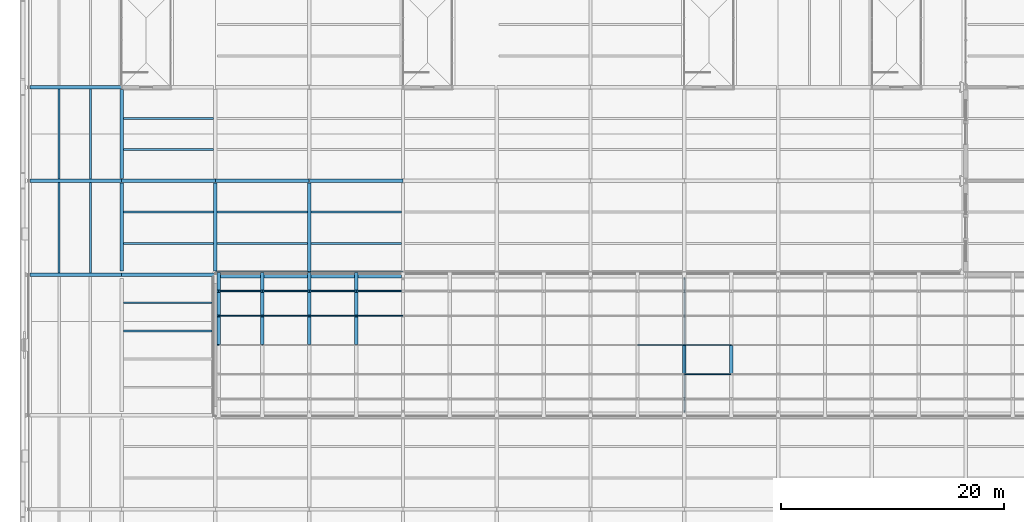
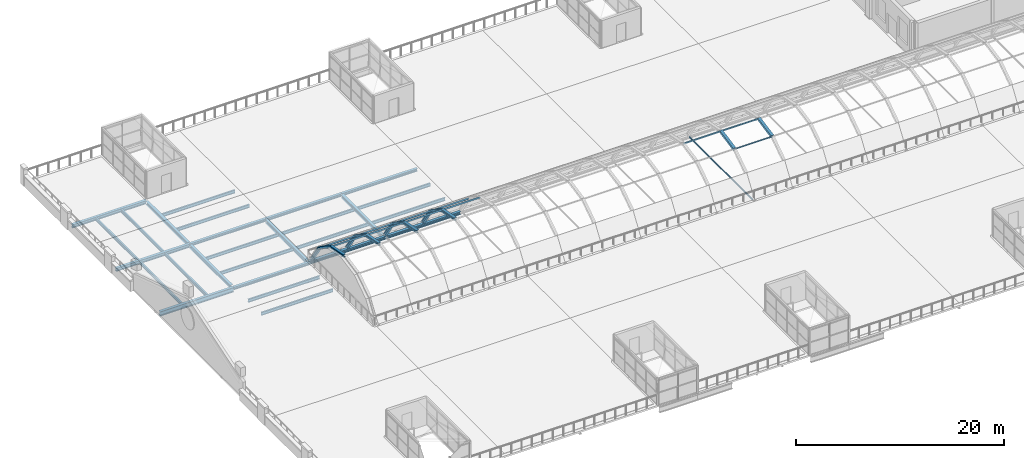
# One storey, part 17 of 58: 29 beams, 26 members.
"""IFC4 building model written with IfcOpenShell, lengths in metres."""

from ifc_helpers import new_model, si_unit, direction, frame, origin, origin_2d, place, context, subcontext, project, spatial, hollow_rectangle, hollow_circle, i_section, extrude, material, material_profile, profile_set, type_object, element, save


model = new_model("IFC4")

# Units and contexts
model_context = context("Model", 3, precision=1e-05, world=origin(), true_north=direction((0.0, 1.0)))
body_context = subcontext(model_context, "Body", "Model", "MODEL_VIEW")
ifc_project = project(units=[si_unit("LENGTHUNIT", "METRE"), si_unit("AREAUNIT", "SQUARE_METRE"), si_unit("VOLUMEUNIT", "CUBIC_METRE"), si_unit("PLANEANGLEUNIT", "RADIAN"), si_unit("MASSUNIT", "GRAM", prefix="KILO")], contexts=[model_context])

# Site, building, storey
site_placement = place(None, origin())
site = spatial("IfcSite", under=ifc_project, at=site_placement, CompositionType="ELEMENT")
building_placement = place(site_placement, origin())
building = spatial("IfcBuilding", under=site, at=building_placement, Name="Galleria Vessillo Department Store", CompositionType="ELEMENT")
storey_placement = place(building_placement, frame((0.0, 0.0, 31.199951171875)))
storey = spatial("IfcBuildingStorey", under=building, at=storey_placement, Name="L06", CompositionType="ELEMENT", Elevation=31.199951171875)

# Beams
ifc_material_1 = material(Name="Steel S355 J2", Category="steel")
ifc_material_profile_1 = material_profile(ifc_material_1, i_section(OverallWidth=0.300048828125, OverallDepth=0.389892578125, WebThickness=0.010986328125, FlangeThickness=0.01904296875, FilletRadius=0.027099609375, at=origin_2d()), Name="HEA 400")
ifc_profile_set_1 = profile_set([ifc_material_profile_1], Name="Steel S355 J2")
beam_type_1 = type_object("IfcBeamType", Name="Floor girder HEA 400", PredefinedType="BEAM", material=ifc_profile_set_1)
for number, where, z_axis, x_axis, name in (
    (1, (0.2001953125, 46.199951171875, -0.39501953125), (1.0, 0.0, 0.0), (0.0, 1.0, 0.0), "S-BM-L06-GI-x46200-200"),
    (2, (0.2001953125, 54.60009765625, -0.39501953125), (1.0, 0.0, 0.0), (0.0, 1.0, 0.0), "S-BM-L06-GI-x54600-200"),
):
    element("IfcBeam", number, at=place(storey_placement, frame(where, z_axis=z_axis, x_axis=x_axis)), inside=storey, type_object=beam_type_1, Name=name, PredefinedType="BEAM", context=body_context, shape_type="SweptSolid", body=[
        extrude(i_section(OverallWidth=0.300048828125, OverallDepth=0.389892578125, WebThickness=0.010986328125, FlangeThickness=0.01904296875, FilletRadius=0.027099609375, at=origin_2d()), origin(), (0.0, 0.0, 1.0), 8.19287109375),
    ])
beam_1_placement = place(storey_placement, frame((8.39990234375, 38.134033203125, -0.39501953125), z_axis=(0.0, 1.0, 0.0), x_axis=(-1.0, 0.0, 0.0)))
element("IfcBeam", 3, at=beam_1_placement, inside=storey, type_object=beam_type_1, Name="S-BM-L06-GI-y8400-38134", PredefinedType="BEAM", context=body_context, shape_type="SweptSolid", body=[
    extrude(i_section(OverallWidth=0.300048828125, OverallDepth=0.389892578125, WebThickness=0.010986328125, FlangeThickness=0.01904296875, FilletRadius=0.027099609375, at=origin_2d()), origin(), (0.0, 0.0, 1.0), 7.86572265625),
])
beam_2_placement = place(storey_placement, frame((8.39990234375, 46.400146484375, -0.39501953125), z_axis=(0.0, 1.0, 0.0), x_axis=(-1.0, 0.0, 0.0)))
element("IfcBeam", 4, at=beam_2_placement, inside=storey, type_object=beam_type_1, Name="S-BM-L06-GI-y8400-46400", PredefinedType="BEAM", context=body_context, shape_type="SweptSolid", body=[
    extrude(i_section(OverallWidth=0.300048828125, OverallDepth=0.389892578125, WebThickness=0.010986328125, FlangeThickness=0.01904296875, FilletRadius=0.027099609375, at=origin_2d()), origin(), (0.0, 0.0, 1.0), 7.999755859375),
])
beam_3_placement = place(storey_placement, frame((16.800048828125, 38.134033203125, -0.39501953125), z_axis=(0.0, 1.0, 0.0), x_axis=(-1.0, 0.0, 0.0)))
element("IfcBeam", 5, at=beam_3_placement, inside=storey, type_object=beam_type_1, Name="S-BM-L06-GI-y16800-38134", PredefinedType="BEAM", context=body_context, shape_type="SweptSolid", body=[
    extrude(i_section(OverallWidth=0.300048828125, OverallDepth=0.389892578125, WebThickness=0.010986328125, FlangeThickness=0.01904296875, FilletRadius=0.027099609375, at=origin_2d()), origin(), (0.0, 0.0, 1.0), 7.86572265625),
])
beam_4_placement = place(storey_placement, frame((25.199951171875, 38.06201171875, -0.39501953125), z_axis=(0.0, 1.0, 0.0), x_axis=(-1.0, 0.0, 0.0)))
element("IfcBeam", 6, at=beam_4_placement, inside=storey, type_object=beam_type_1, Name="S-BM-L06-GI-y25200-38062", PredefinedType="BEAM", context=body_context, shape_type="SweptSolid", body=[
    extrude(i_section(OverallWidth=0.300048828125, OverallDepth=0.389892578125, WebThickness=0.010986328125, FlangeThickness=0.01904296875, FilletRadius=0.027099609375, at=origin_2d()), origin(), (0.0, 0.0, 1.0), 7.937744140625),
])
ifc_material_2 = material(Name="Steel S355 J2", Category="steel")
ifc_material_profile_2 = material_profile(ifc_material_2, i_section(OverallWidth=0.300048828125, OverallDepth=0.5400390625, WebThickness=0.012451171875, FlangeThickness=0.02392578125, FilletRadius=0.027099609375, at=origin_2d()), Name="HEA 550")
ifc_profile_set_2 = profile_set([ifc_material_profile_2], Name="Steel S355 J2")
beam_type_2 = type_object("IfcBeamType", Name="Floor girder HEA 550", PredefinedType="BEAM", material=ifc_profile_set_2)
beam_5_placement = place(storey_placement, frame((0.2001953125, 37.800048828125, -0.469970703125), z_axis=(1.0, 0.0, 0.0), x_axis=(0.0, 1.0, 0.0)))
element("IfcBeam", 7, at=beam_5_placement, inside=storey, type_object=beam_type_2, Name="S-BM-L06-GI-x37800-200", PredefinedType="BEAM", context=body_context, shape_type="SweptSolid", body=[
    extrude(i_section(OverallWidth=0.300048828125, OverallDepth=0.5400390625, WebThickness=0.012451171875, FlangeThickness=0.02392578125, FilletRadius=0.027099609375, at=origin_2d()), origin(), (0.0, 0.0, 1.0), 8.189208984375),
])
ifc_material_3 = material(Name="Steel S355 J2", Category="steel")
ifc_material_profile_3 = material_profile(ifc_material_3, i_section(OverallWidth=0.169921875, OverallDepth=0.360107421875, WebThickness=0.008056640625, FlangeThickness=0.0126953125, FilletRadius=0.01806640625, at=origin_2d()), Name="IPE 360")
ifc_profile_set_3 = profile_set([ifc_material_profile_3], Name="Steel S355 J2")
beam_type_3 = type_object("IfcBeamType", Name="Floor joist IPE 360", PredefinedType="JOIST", material=ifc_profile_set_3)
for number, where, z_axis, x_axis, name in (
    (8, (2.800048828125, 37.9501953125, -0.3798828125), (0.0, 1.0, 0.0), (-1.0, 0.0, 0.0), "S-BM-L06-JO-y2800-37950"),
    (9, (5.60009765625, 37.9501953125, -0.3798828125), (0.0, 1.0, 0.0), (-1.0, 0.0, 0.0), "S-BM-L06-JO-y5600-37950"),
):
    element("IfcBeam", number, at=place(storey_placement, frame(where, z_axis=z_axis, x_axis=x_axis)), inside=storey, type_object=beam_type_3, Name=name, PredefinedType="JOIST", context=body_context, shape_type="SweptSolid", body=[
        extrude(i_section(OverallWidth=0.169921875, OverallDepth=0.360107421875, WebThickness=0.008056640625, FlangeThickness=0.0126953125, FilletRadius=0.01806640625, at=origin_2d()), origin(), (0.0, 0.0, 1.0), 8.099609375),
    ])
for number, where, z_axis, x_axis, name in (
    (10, (2.800048828125, 46.35009765625, -0.3798828125), (0.0, 1.0, 0.0), (-1.0, 0.0, 0.0), "S-BM-L06-JO-y2800-46350"),
    (11, (5.60009765625, 46.35009765625, -0.3798828125), (0.0, 1.0, 0.0), (-1.0, 0.0, 0.0), "S-BM-L06-JO-y5600-46350"),
):
    element("IfcBeam", number, at=place(storey_placement, frame(where, z_axis=z_axis, x_axis=x_axis)), inside=storey, type_object=beam_type_3, Name=name, PredefinedType="JOIST", context=body_context, shape_type="SweptSolid", body=[
        extrude(i_section(OverallWidth=0.169921875, OverallDepth=0.360107421875, WebThickness=0.008056640625, FlangeThickness=0.0126953125, FilletRadius=0.01806640625, at=origin_2d()), origin(), (0.0, 0.0, 1.0), 8.099853515625),
    ])
for number, where, z_axis, x_axis, name in (
    (12, (8.550048828125, 32.760009765625, -0.3798828125), (1.0, 0.0, 0.0), (0.0, 1.0, 0.0), "S-BM-L06-JO-x32760-8550"),
    (13, (8.550048828125, 35.280029296875, -0.3798828125), (1.0, 0.0, 0.0), (0.0, 1.0, 0.0), "S-BM-L06-JO-x35280-8550"),
):
    element("IfcBeam", number, at=place(storey_placement, frame(where, z_axis=z_axis, x_axis=x_axis)), inside=storey, type_object=beam_type_3, Name=name, PredefinedType="JOIST", context=body_context, shape_type="SweptSolid", body=[
        extrude(i_section(OverallWidth=0.169921875, OverallDepth=0.360107421875, WebThickness=0.008056640625, FlangeThickness=0.0126953125, FilletRadius=0.01806640625, at=origin_2d()), origin(), (0.0, 0.0, 1.0), 7.94970703125),
    ])
for number, where, z_axis, x_axis, name in (
    (14, (8.550048828125, 40.60009765625, -0.3798828125), (1.0, 0.0, 0.0), (0.0, 1.0, 0.0), "S-BM-L06-JO-x40600-8550"),
    (15, (8.550048828125, 43.39990234375, -0.3798828125), (1.0, 0.0, 0.0), (0.0, 1.0, 0.0), "S-BM-L06-JO-x43400-8550"),
    (16, (8.550048828125, 49.0, -0.3798828125), (1.0, 0.0, 0.0), (0.0, 1.0, 0.0), "S-BM-L06-JO-x49000-8550"),
    (17, (8.550048828125, 51.800048828125, -0.3798828125), (1.0, 0.0, 0.0), (0.0, 1.0, 0.0), "S-BM-L06-JO-x51800-8550"),
):
    element("IfcBeam", number, at=place(storey_placement, frame(where, z_axis=z_axis, x_axis=x_axis)), inside=storey, type_object=beam_type_3, Name=name, PredefinedType="JOIST", context=body_context, shape_type="SweptSolid", body=[
        extrude(i_section(OverallWidth=0.169921875, OverallDepth=0.360107421875, WebThickness=0.008056640625, FlangeThickness=0.0126953125, FilletRadius=0.01806640625, at=origin_2d()), origin(), (0.0, 0.0, 1.0), 8.099853515625),
    ])
for number, where, z_axis, x_axis, name in (
    (18, (16.9501953125, 40.60009765625, -0.3798828125), (1.0, 0.0, 0.0), (0.0, 1.0, 0.0), "S-BM-L06-JO-x40600-16950"),
    (19, (16.9501953125, 43.39990234375, -0.3798828125), (1.0, 0.0, 0.0), (0.0, 1.0, 0.0), "S-BM-L06-JO-x43400-16950"),
):
    element("IfcBeam", number, at=place(storey_placement, frame(where, z_axis=z_axis, x_axis=x_axis)), inside=storey, type_object=beam_type_3, Name=name, PredefinedType="JOIST", context=body_context, shape_type="SweptSolid", body=[
        extrude(i_section(OverallWidth=0.169921875, OverallDepth=0.360107421875, WebThickness=0.008056640625, FlangeThickness=0.0126953125, FilletRadius=0.01806640625, at=origin_2d()), origin(), (0.0, 0.0, 1.0), 8.099609375),
    ])
for number, where, z_axis, x_axis, name in (
    (20, (25.35009765625, 40.60009765625, -0.3798828125), (1.0, 0.0, 0.0), (0.0, 1.0, 0.0), "S-BM-L06-JO-x40600-25350"),
    (21, (25.35009765625, 43.39990234375, -0.3798828125), (1.0, 0.0, 0.0), (0.0, 1.0, 0.0), "S-BM-L06-JO-x43400-25350"),
):
    element("IfcBeam", number, at=place(storey_placement, frame(where, z_axis=z_axis, x_axis=x_axis)), inside=storey, type_object=beam_type_3, Name=name, PredefinedType="JOIST", context=body_context, shape_type="SweptSolid", body=[
        extrude(i_section(OverallWidth=0.169921875, OverallDepth=0.360107421875, WebThickness=0.008056640625, FlangeThickness=0.0126953125, FilletRadius=0.01806640625, at=origin_2d()), origin(), (0.0, 0.0, 1.0), 8.099853515625),
    ])
ifc_material_4 = material(Name="Steel S355 J2", Category="steel")
ifc_material_profile_4 = material_profile(ifc_material_4, i_section(OverallWidth=0.300048828125, OverallDepth=0.31005859375, WebThickness=0.009033203125, FlangeThickness=0.015380859375, FilletRadius=0.027099609375, at=origin_2d()), Name="HEA 320")
ifc_profile_set_4 = profile_set([ifc_material_profile_4], Name="Steel S355 J2")
beam_type_4 = type_object("IfcBeamType", Name="Floor tie girder HEA 320", PredefinedType="BEAM", material=ifc_profile_set_4)
beam_6_placement = place(storey_placement, frame((8.41064453125, 37.800048828125, -0.35498046875), z_axis=(1.0, 0.0, 0.0), x_axis=(0.0, 1.0, 0.0)))
element("IfcBeam", 22, at=beam_6_placement, inside=storey, type_object=beam_type_4, Name="S-BM-L06-TI-x37800-8411", PredefinedType="BEAM", context=body_context, shape_type="SweptSolid", body=[
    extrude(i_section(OverallWidth=0.300048828125, OverallDepth=0.31005859375, WebThickness=0.009033203125, FlangeThickness=0.015380859375, FilletRadius=0.027099609375, at=origin_2d()), origin(), (0.0, 0.0, 1.0), 8.378662109375),
])
for number, where, z_axis, x_axis, name in (
    (23, (8.406982421875, 46.199951171875, -0.35498046875), (1.0, 0.0, 0.0), (0.0, 1.0, 0.0), "S-BM-L06-TI-x46200-8407"),
    (24, (16.806884765625, 46.199951171875, -0.35498046875), (1.0, 0.0, 0.0), (0.0, 1.0, 0.0), "S-BM-L06-TI-x46200-16807"),
    (25, (25.206787109375, 46.199951171875, -0.35498046875), (1.0, 0.0, 0.0), (0.0, 1.0, 0.0), "S-BM-L06-TI-x46200-25207"),
):
    element("IfcBeam", number, at=place(storey_placement, frame(where, z_axis=z_axis, x_axis=x_axis)), inside=storey, type_object=beam_type_4, Name=name, PredefinedType="BEAM", context=body_context, shape_type="SweptSolid", body=[
        extrude(i_section(OverallWidth=0.300048828125, OverallDepth=0.31005859375, WebThickness=0.009033203125, FlangeThickness=0.015380859375, FilletRadius=0.027099609375, at=origin_2d()), origin(), (0.0, 0.0, 1.0), 8.38623046875),
    ])
ifc_material_5 = material(Name="Steel S355 J2", Category="steel")
ifc_material_profile_5 = material_profile(ifc_material_5, i_section(OverallWidth=0.300048828125, OverallDepth=0.389892578125, WebThickness=0.010986328125, FlangeThickness=0.01904296875, FilletRadius=0.027099609375, at=origin_2d()), Name="HEA 400")
ifc_profile_set_5 = profile_set([ifc_material_profile_5], Name="Steel S355 J2")
beam_type_5 = type_object("IfcBeamType", Name="Trimmer beam HEA 400", PredefinedType="BEAM", material=ifc_profile_set_5)
beam_7_placement = place(storey_placement, frame((16.810546875, 37.949951171875, -0.39501953125), z_axis=(1.0, 0.0, 0.0), x_axis=(0.0, 1.0, 0.0)))
element("IfcBeam", 26, at=beam_7_placement, inside=storey, type_object=beam_type_5, Name="S-BM-L06-TR-x37950-16811", PredefinedType="BEAM", context=body_context, shape_type="SweptSolid", body=[
    extrude(i_section(OverallWidth=0.300048828125, OverallDepth=0.389892578125, WebThickness=0.010986328125, FlangeThickness=0.01904296875, FilletRadius=0.027099609375, at=origin_2d()), origin(), (0.0, 0.0, 1.0), 8.37890625),
])
beam_8_placement = place(storey_placement, frame((25.210693359375, 37.949951171875, -0.39501953125), z_axis=(1.0, 0.0, 0.0), x_axis=(0.0, 1.0, 0.0)))
element("IfcBeam", 27, at=beam_8_placement, inside=storey, type_object=beam_type_5, Name="S-BM-L06-TR-x37950-25211", PredefinedType="BEAM", context=body_context, shape_type="SweptSolid", body=[
    extrude(i_section(OverallWidth=0.300048828125, OverallDepth=0.389892578125, WebThickness=0.010986328125, FlangeThickness=0.01904296875, FilletRadius=0.027099609375, at=origin_2d()), origin(), (0.0, 0.0, 1.0), 8.378662109375),
])

# Members
ifc_material_6 = material(Name="Steel S355 J2", Category="steel")
ifc_material_profile_6 = material_profile(ifc_material_6, hollow_rectangle(XDim=0.10009765625, YDim=0.14990234375, WallThickness=0.008056640625, at=origin_2d()), Name="RHS 150x100x8")
ifc_profile_set_6 = profile_set([ifc_material_profile_6], Name="Steel S355 J2")
member_type_1 = type_object("IfcMemberType", Name="Vault purlin RHS 150x100x8", PredefinedType="PURLIN", material=ifc_profile_set_6)
for number, where, z_axis, x_axis, name in (
    (28, (58.80419921875, 28.892578125, 3.682373046875), (1.0, 0.0, 0.0), (0.0, 0.924144726715, 0.38204256842), "S-VP-2-11"),
    (29, (54.604248046875, 31.5, 4.199951171875), (1.0, 0.0, 0.0), (0.0, 1.0, 0.0), "S-VP-3-10"),
    (30, (58.80419921875, 31.5, 4.199951171875), (1.0, 0.0, 0.0), (0.0, 1.0, 0.0), "S-VP-3-11"),
):
    element("IfcMember", number, at=place(storey_placement, frame(where, z_axis=z_axis, x_axis=x_axis)), inside=storey, type_object=member_type_1, Name=name, PredefinedType="PURLIN", context=body_context, shape_type="SweptSolid", body=[
        extrude(hollow_rectangle(XDim=0.10009765625, YDim=0.14990234375, WallThickness=0.008056640625, at=origin_2d()), origin(), (0.0, 0.0, 1.0), 4.191650390625),
    ])
member_1_placement = place(storey_placement, frame((17.104248046875, 34.107421875, 3.682373046875), z_axis=(1.0, 0.0, 0.0), x_axis=(0.0, 0.924144726715, -0.38204256842)))
element("IfcMember", 31, at=member_1_placement, inside=storey, type_object=member_type_1, Name="S-VP-4-01", PredefinedType="PURLIN", context=body_context, shape_type="SweptSolid", body=[
    extrude(hollow_rectangle(XDim=0.10009765625, YDim=0.14990234375, WallThickness=0.008056640625, at=origin_2d()), origin(), (0.0, 0.0, 1.0), 3.8916015625),
])
for number, where, z_axis, x_axis, name in (
    (32, (21.004150390625, 34.107421875, 3.682373046875), (1.0, 0.0, 0.0), (0.0, 0.924144726715, -0.38204256842), "S-VP-4-02"),
    (33, (25.2041015625, 34.107421875, 3.682373046875), (1.0, 0.0, 0.0), (0.0, 0.924144726715, -0.38204256842), "S-VP-4-03"),
):
    element("IfcMember", number, at=place(storey_placement, frame(where, z_axis=z_axis, x_axis=x_axis)), inside=storey, type_object=member_type_1, Name=name, PredefinedType="PURLIN", context=body_context, shape_type="SweptSolid", body=[
        extrude(hollow_rectangle(XDim=0.10009765625, YDim=0.14990234375, WallThickness=0.008056640625, at=origin_2d()), origin(), (0.0, 0.0, 1.0), 4.191650390625),
    ])
member_2_placement = place(storey_placement, frame((29.404052734375, 34.107421875, 3.682373046875), z_axis=(1.0, 0.0, 0.0), x_axis=(0.0, 0.924144726715, -0.38204256842)))
element("IfcMember", 34, at=member_2_placement, inside=storey, type_object=member_type_1, Name="S-VP-4-04", PredefinedType="PURLIN", context=body_context, shape_type="SweptSolid", body=[
    extrude(hollow_rectangle(XDim=0.10009765625, YDim=0.14990234375, WallThickness=0.008056640625, at=origin_2d()), origin(), (0.0, 0.0, 1.0), 4.19189453125),
])
member_3_placement = place(storey_placement, frame((17.104248046875, 36.3193359375, 2.207763671875), z_axis=(1.0, 0.0, 0.0), x_axis=(0.0, 0.708077368705, -0.70613485959)))
element("IfcMember", 35, at=member_3_placement, inside=storey, type_object=member_type_1, Name="S-VP-5-01", PredefinedType="PURLIN", context=body_context, shape_type="SweptSolid", body=[
    extrude(hollow_rectangle(XDim=0.10009765625, YDim=0.14990234375, WallThickness=0.008056640625, at=origin_2d()), origin(), (0.0, 0.0, 1.0), 3.8916015625),
])
for number, where, z_axis, x_axis, name in (
    (36, (21.004150390625, 36.3193359375, 2.207763671875), (1.0, 0.0, 0.0), (0.0, 0.708077368705, -0.70613485959), "S-VP-5-02"),
    (37, (25.2041015625, 36.3193359375, 2.207763671875), (1.0, 0.0, 0.0), (0.0, 0.708077368705, -0.70613485959), "S-VP-5-03"),
):
    element("IfcMember", number, at=place(storey_placement, frame(where, z_axis=z_axis, x_axis=x_axis)), inside=storey, type_object=member_type_1, Name=name, PredefinedType="PURLIN", context=body_context, shape_type="SweptSolid", body=[
        extrude(hollow_rectangle(XDim=0.10009765625, YDim=0.14990234375, WallThickness=0.008056640625, at=origin_2d()), origin(), (0.0, 0.0, 1.0), 4.191650390625),
    ])
member_4_placement = place(storey_placement, frame((29.404052734375, 36.3193359375, 2.207763671875), z_axis=(1.0, 0.0, 0.0), x_axis=(0.0, 0.708077368705, -0.70613485959)))
element("IfcMember", 38, at=member_4_placement, inside=storey, type_object=member_type_1, Name="S-VP-5-04", PredefinedType="PURLIN", context=body_context, shape_type="SweptSolid", body=[
    extrude(hollow_rectangle(XDim=0.10009765625, YDim=0.14990234375, WallThickness=0.008056640625, at=origin_2d()), origin(), (0.0, 0.0, 1.0), 4.19189453125),
])
ifc_material_7 = material(Name="Steel S355 J2", Category="steel")
ifc_material_profile_7 = material_profile(ifc_material_7, i_section(OverallWidth=0.300048828125, OverallDepth=0.2900390625, WebThickness=0.008544921875, FlangeThickness=0.013916015625, FilletRadius=0.027099609375, at=origin_2d()), Name="HEA 300")
ifc_profile_set_7 = profile_set([ifc_material_profile_7], Name="Steel S355 J2")
member_type_2 = type_object("IfcMemberType", Name="Vault rib HEA 300", PredefinedType="RAFTER", material=ifc_profile_set_7)
member_5_placement = place(storey_placement, frame((17.10009765625, 31.5, 4.199951171875), z_axis=(0.0, 0.980862245521, -0.194702992557), x_axis=(-1.0, 0.0, 0.0)))
element("IfcMember", 39, at=member_5_placement, inside=storey, type_object=member_type_2, Name="S-VR-01-4", PredefinedType="RAFTER", context=body_context, shape_type="SweptSolid", body=[
    extrude(i_section(OverallWidth=0.300048828125, OverallDepth=0.2900390625, WebThickness=0.008544921875, FlangeThickness=0.013916015625, FilletRadius=0.027099609375, at=origin_2d()), origin(), (0.0, 0.0, 1.0), 2.658203125),
])
member_6_placement = place(storey_placement, frame((17.10009765625, 34.107421875, 3.682373046875), z_axis=(0.0, 0.832050294338, -0.554700196225), x_axis=(-1.0, 0.0, 0.0)))
element("IfcMember", 40, at=member_6_placement, inside=storey, type_object=member_type_2, Name="S-VR-01-5", PredefinedType="RAFTER", context=body_context, shape_type="SweptSolid", body=[
    extrude(i_section(OverallWidth=0.300048828125, OverallDepth=0.2900390625, WebThickness=0.008544921875, FlangeThickness=0.013916015625, FilletRadius=0.027099609375, at=origin_2d()), origin(), (0.0, 0.0, 1.0), 2.658447265625),
])
member_7_placement = place(storey_placement, frame((17.10009765625, 36.3193359375, 2.207763671875), z_axis=(0.0, 0.557008391095, -0.830506864661), x_axis=(-1.0, 0.0, 0.0)))
element("IfcMember", 41, at=member_7_placement, inside=storey, type_object=member_type_2, Name="S-VR-01-6", PredefinedType="RAFTER", context=body_context, shape_type="SweptSolid", body=[
    extrude(i_section(OverallWidth=0.300048828125, OverallDepth=0.2900390625, WebThickness=0.008544921875, FlangeThickness=0.013916015625, FilletRadius=0.027099609375, at=origin_2d()), origin(), (0.0, 0.0, 1.0), 2.755615234375),
])
member_8_placement = place(storey_placement, frame((21.0, 31.5, 4.199951171875), z_axis=(0.0, 0.980862245521, -0.194702992557), x_axis=(-1.0, 0.0, 0.0)))
element("IfcMember", 42, at=member_8_placement, inside=storey, type_object=member_type_2, Name="S-VR-02-4", PredefinedType="RAFTER", context=body_context, shape_type="SweptSolid", body=[
    extrude(i_section(OverallWidth=0.300048828125, OverallDepth=0.2900390625, WebThickness=0.008544921875, FlangeThickness=0.013916015625, FilletRadius=0.027099609375, at=origin_2d()), origin(), (0.0, 0.0, 1.0), 2.658203125),
])
member_9_placement = place(storey_placement, frame((21.0, 34.107421875, 3.682373046875), z_axis=(0.0, 0.832050294338, -0.554700196225), x_axis=(-1.0, 0.0, 0.0)))
element("IfcMember", 43, at=member_9_placement, inside=storey, type_object=member_type_2, Name="S-VR-02-5", PredefinedType="RAFTER", context=body_context, shape_type="SweptSolid", body=[
    extrude(i_section(OverallWidth=0.300048828125, OverallDepth=0.2900390625, WebThickness=0.008544921875, FlangeThickness=0.013916015625, FilletRadius=0.027099609375, at=origin_2d()), origin(), (0.0, 0.0, 1.0), 2.658447265625),
])
member_10_placement = place(storey_placement, frame((21.0, 36.3193359375, 2.207763671875), z_axis=(0.0, 0.557008391095, -0.830506864661), x_axis=(-1.0, 0.0, 0.0)))
element("IfcMember", 44, at=member_10_placement, inside=storey, type_object=member_type_2, Name="S-VR-02-6", PredefinedType="RAFTER", context=body_context, shape_type="SweptSolid", body=[
    extrude(i_section(OverallWidth=0.300048828125, OverallDepth=0.2900390625, WebThickness=0.008544921875, FlangeThickness=0.013916015625, FilletRadius=0.027099609375, at=origin_2d()), origin(), (0.0, 0.0, 1.0), 2.755615234375),
])
member_11_placement = place(storey_placement, frame((25.199951171875, 31.5, 4.199951171875), z_axis=(0.0, 0.980862245521, -0.194702992557), x_axis=(-1.0, 0.0, 0.0)))
element("IfcMember", 45, at=member_11_placement, inside=storey, type_object=member_type_2, Name="S-VR-03-4", PredefinedType="RAFTER", context=body_context, shape_type="SweptSolid", body=[
    extrude(i_section(OverallWidth=0.300048828125, OverallDepth=0.2900390625, WebThickness=0.008544921875, FlangeThickness=0.013916015625, FilletRadius=0.027099609375, at=origin_2d()), origin(), (0.0, 0.0, 1.0), 2.658203125),
])
member_12_placement = place(storey_placement, frame((25.199951171875, 34.107421875, 3.682373046875), z_axis=(0.0, 0.832050294338, -0.554700196225), x_axis=(-1.0, 0.0, 0.0)))
element("IfcMember", 46, at=member_12_placement, inside=storey, type_object=member_type_2, Name="S-VR-03-5", PredefinedType="RAFTER", context=body_context, shape_type="SweptSolid", body=[
    extrude(i_section(OverallWidth=0.300048828125, OverallDepth=0.2900390625, WebThickness=0.008544921875, FlangeThickness=0.013916015625, FilletRadius=0.027099609375, at=origin_2d()), origin(), (0.0, 0.0, 1.0), 2.658447265625),
])
member_13_placement = place(storey_placement, frame((25.199951171875, 36.3193359375, 2.207763671875), z_axis=(0.0, 0.557008391095, -0.830506864661), x_axis=(-1.0, 0.0, 0.0)))
element("IfcMember", 47, at=member_13_placement, inside=storey, type_object=member_type_2, Name="S-VR-03-6", PredefinedType="RAFTER", context=body_context, shape_type="SweptSolid", body=[
    extrude(i_section(OverallWidth=0.300048828125, OverallDepth=0.2900390625, WebThickness=0.008544921875, FlangeThickness=0.013916015625, FilletRadius=0.027099609375, at=origin_2d()), origin(), (0.0, 0.0, 1.0), 2.755615234375),
])
member_14_placement = place(storey_placement, frame((29.39990234375, 31.5, 4.199951171875), z_axis=(0.0, 0.980862245521, -0.194702992557), x_axis=(-1.0, 0.0, 0.0)))
element("IfcMember", 48, at=member_14_placement, inside=storey, type_object=member_type_2, Name="S-VR-04-4", PredefinedType="RAFTER", context=body_context, shape_type="SweptSolid", body=[
    extrude(i_section(OverallWidth=0.300048828125, OverallDepth=0.2900390625, WebThickness=0.008544921875, FlangeThickness=0.013916015625, FilletRadius=0.027099609375, at=origin_2d()), origin(), (0.0, 0.0, 1.0), 2.658203125),
])
member_15_placement = place(storey_placement, frame((29.39990234375, 34.107421875, 3.682373046875), z_axis=(0.0, 0.832050294338, -0.554700196225), x_axis=(-1.0, 0.0, 0.0)))
element("IfcMember", 49, at=member_15_placement, inside=storey, type_object=member_type_2, Name="S-VR-04-5", PredefinedType="RAFTER", context=body_context, shape_type="SweptSolid", body=[
    extrude(i_section(OverallWidth=0.300048828125, OverallDepth=0.2900390625, WebThickness=0.008544921875, FlangeThickness=0.013916015625, FilletRadius=0.027099609375, at=origin_2d()), origin(), (0.0, 0.0, 1.0), 2.658447265625),
])
member_16_placement = place(storey_placement, frame((29.39990234375, 36.3193359375, 2.207763671875), z_axis=(0.0, 0.557008391095, -0.830506864661), x_axis=(-1.0, 0.0, 0.0)))
element("IfcMember", 50, at=member_16_placement, inside=storey, type_object=member_type_2, Name="S-VR-04-6", PredefinedType="RAFTER", context=body_context, shape_type="SweptSolid", body=[
    extrude(i_section(OverallWidth=0.300048828125, OverallDepth=0.2900390625, WebThickness=0.008544921875, FlangeThickness=0.013916015625, FilletRadius=0.027099609375, at=origin_2d()), origin(), (0.0, 0.0, 1.0), 2.755615234375),
])
for number, where, z_axis, x_axis, name in (
    (51, (58.800048828125, 28.892578125, 3.682373046875), (0.0, 0.980862245521, 0.194702992557), (-1.0, 0.0, 0.0), "S-VR-11-3"),
    (52, (63.0, 28.892578125, 3.682373046875), (0.0, 0.980862245521, 0.194702992557), (-1.0, 0.0, 0.0), "S-VR-12-3"),
):
    element("IfcMember", number, at=place(storey_placement, frame(where, z_axis=z_axis, x_axis=x_axis)), inside=storey, type_object=member_type_2, Name=name, PredefinedType="RAFTER", context=body_context, shape_type="SweptSolid", body=[
        extrude(i_section(OverallWidth=0.300048828125, OverallDepth=0.2900390625, WebThickness=0.008544921875, FlangeThickness=0.013916015625, FilletRadius=0.027099609375, at=origin_2d()), origin(), (0.0, 0.0, 1.0), 2.658203125),
    ])

# Beams
ifc_material_8 = material(Name="Steel S355 J2", Category="steel")
ifc_material_profile_8 = material_profile(ifc_material_8, i_section(OverallWidth=0.300048828125, OverallDepth=0.300048828125, WebThickness=0.010986328125, FlangeThickness=0.01904296875, FilletRadius=0.027099609375, at=origin_2d()), Name="HEB 300")
ifc_profile_set_8 = profile_set([ifc_material_profile_8], Name="Steel S355 J2")
beam_type_6 = type_object("IfcBeamType", Name="Vault springer beam HEB 300", PredefinedType="BEAM", material=ifc_profile_set_8)
for number, where, z_axis, x_axis, name in (
    (53, (16.95263671875, 37.64990234375, -0.14990234375), (1.0, 0.0, 0.0), (0.0, 1.0, 0.0), "S-VS-N-01"),
    (54, (25.35302734375, 37.64990234375, -0.14990234375), (1.0, 0.0, 0.0), (0.0, 1.0, 0.0), "S-VS-N-02"),
):
    element("IfcBeam", number, at=place(storey_placement, frame(where, z_axis=z_axis, x_axis=x_axis)), inside=storey, type_object=beam_type_6, Name=name, PredefinedType="BEAM", context=body_context, shape_type="SweptSolid", body=[
        extrude(i_section(OverallWidth=0.300048828125, OverallDepth=0.300048828125, WebThickness=0.010986328125, FlangeThickness=0.01904296875, FilletRadius=0.027099609375, at=origin_2d()), origin(), (0.0, 0.0, 1.0), 8.09423828125),
    ])

# Member
ifc_material_9 = material(Name="Steel S355 J2", Category="steel")
ifc_material_profile_9 = material_profile(ifc_material_9, hollow_circle(Radius=0.084228515625, WallThickness=0.008056640625, at=origin_2d()), Name="CHS 168.3x8")
ifc_profile_set_9 = profile_set([ifc_material_profile_9], Name="Steel S355 J2")
member_type_3 = type_object("IfcMemberType", Name="Vault tie rod CHS 168.3x8", PredefinedType="BRACE", material=ifc_profile_set_9)
member_17_placement = place(storey_placement, frame((58.800048828125, 25.462158203125, -0.14990234375), z_axis=(0.0, 1.0, 0.0), x_axis=(-1.0, 0.0, 0.0)))
element("IfcMember", 55, at=member_17_placement, inside=storey, type_object=member_type_3, Name="S-VT-0588", PredefinedType="BRACE", context=body_context, shape_type="SweptSolid", body=[
    extrude(hollow_circle(Radius=0.084228515625, WallThickness=0.008056640625, at=origin_2d()), origin(), (0.0, 0.0, 1.0), 12.07568359375),
])

save(model, "model.ifc")
